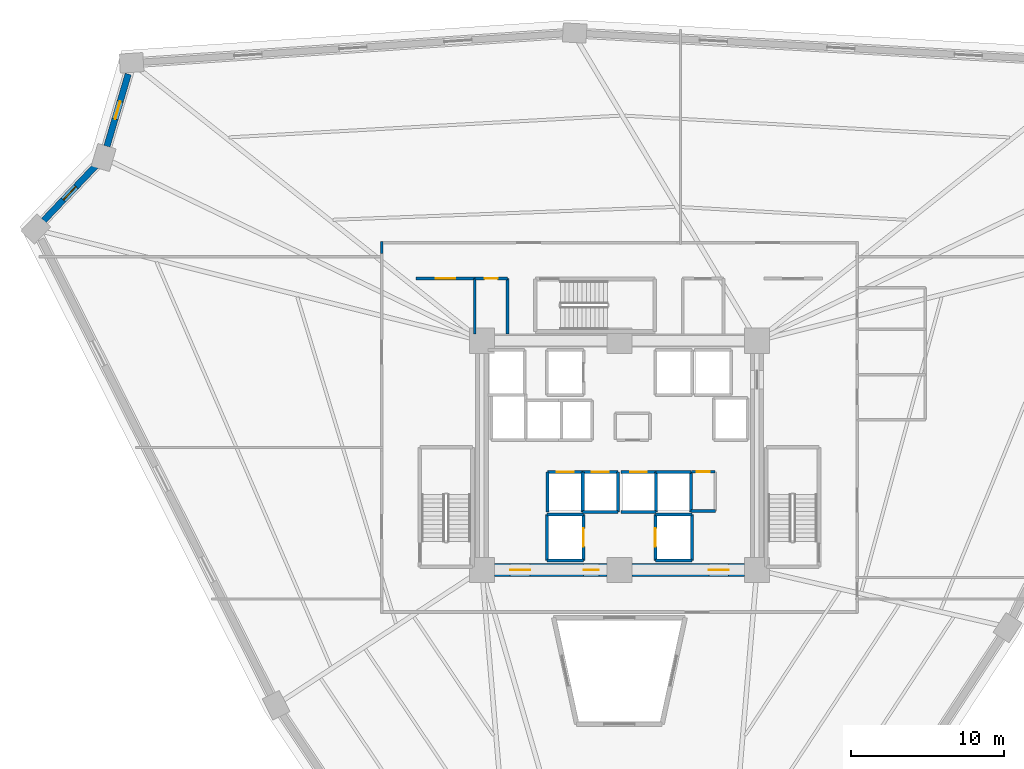
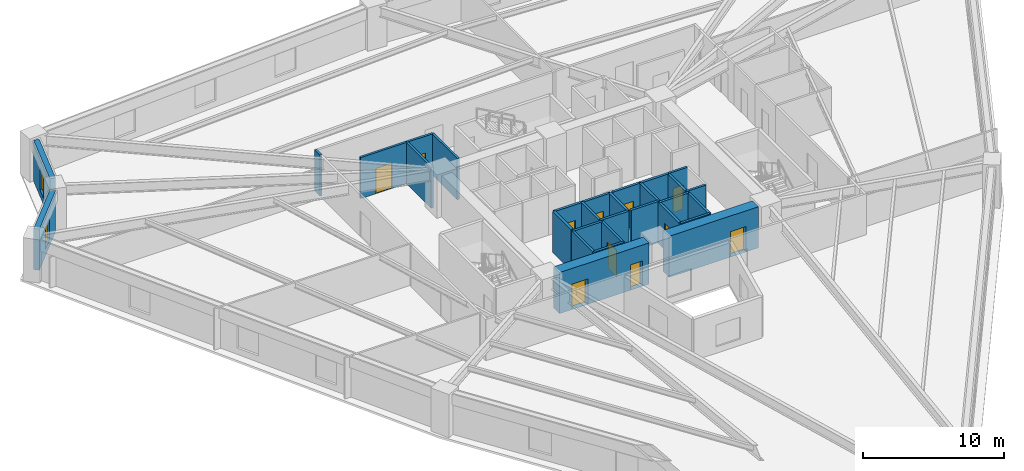
# One storey, part 4 of 8: 30 walls, 11 doors, 2 windows, 13 openings.
"""IFC4 building model written with IfcOpenShell, lengths in metres."""

from ifc_helpers import new_model, si_unit, direction, frame, frame_2d, origin, place, context, subcontext, project, spatial, rectangle, extrude, source, transform, mapped, material, layer, layer_set, type_object, element, fill, save


model = new_model("IFC4")

# Units and contexts
model_context = context("Model", 3, precision=1e-05, world=origin(), true_north=direction((0.0, 1.0)))
body_context = subcontext(model_context, "Body", "Model", "MODEL_VIEW")
ifc_project = project(units=[si_unit("LENGTHUNIT", "METRE"), si_unit("AREAUNIT", "SQUARE_METRE"), si_unit("VOLUMEUNIT", "CUBIC_METRE"), si_unit("PLANEANGLEUNIT", "RADIAN"), si_unit("MASSUNIT", "GRAM", prefix="KILO")], contexts=[model_context])

# Site, building, storey
site_placement = place(None, origin())
site = spatial("IfcSite", under=ifc_project, at=site_placement, CompositionType="ELEMENT")
building_placement = place(site_placement, origin())
building = spatial("IfcBuilding", under=site, at=building_placement, Name="Liaohun Quay Tower", CompositionType="ELEMENT")
storey_placement = place(building_placement, frame((0.0, 0.0, 70.5)))
storey = spatial("IfcBuildingStorey", under=building, at=storey_placement, Name="L18", CompositionType="ELEMENT", Elevation=70.5)

# Wall, opening, door
ifc_material_1 = material(Name="Concrete C60", Category="concrete")
ifc_layer_1 = layer(ifc_material_1, 0.85009765625, Name="Concrete C60", Category="concrete")
ifc_layer_set_1 = layer_set([ifc_layer_1], Name="Concrete C60")
wall_type_1 = type_object("IfcWallType", Name="WAL-COR-Z1", PredefinedType="SHEAR", material=ifc_layer_set_1)
wall_1_placement = place(storey_placement, frame((68.175048828125, 46.5, 0.0), z_axis=(0.0, 0.0, 1.0), x_axis=(-1.0, 0.0, 0.0)))
wall_1 = element("IfcWall", 1, at=wall_1_placement, inside=storey, type_object=wall_type_1, Name="L18 Central Core Shear Wall S-E", PredefinedType="SHEAR", context=body_context, shape_type="SweptSolid", body=[
    extrude(rectangle(XDim=7.35009765625, YDim=0.85009765625, at=frame_2d((3.675048828125, 0.0))), origin(), (0.0, 0.0, 1.0), 3.570068359375),
])
shared_shape_1 = source(origin(), body_context, "Body", "SweptSolid", [
    extrude(rectangle(XDim=1.300048828125, YDim=2.199951171875, at=frame_2d((0.64990234375, 1.10009765625))), frame((0.0, 0.43505859375, 0.0), z_axis=(0.0, -1.0, 0.0), x_axis=(1.0, 0.0, 0.0)), (0.0, 0.0, 1.0), 0.8701171875),
])
opening_1_placement = place(wall_1_placement, frame((1.02490234375, 0.0, 0.0)))
opening_1 = element("IfcOpeningElement", 2, at=opening_1_placement, cuts=wall_1, Name="Opening FD1", PredefinedType="OPENING", context=body_context, shape_type="MappedRepresentation", body=[
    mapped(shared_shape_1, transform((0.0, 0.0, 0.0), x_axis=(1.0, 0.0, 0.0), y_axis=(0.0, 1.0, 0.0), z_axis=(0.0, 0.0, 1.0), scale=1.0)),
])
ifc_material_2 = material(Name="Galvanised steel smokeproof fire door", Category="steel")
door_type_1 = type_object("IfcDoorType", Name="DOR-FFL-1300", OperationType="NOTDEFINED", PredefinedType="DOOR", material=ifc_material_2)
shared_shape_2 = source(origin(), body_context, "Body", "SweptSolid", [
    extrude(rectangle(XDim=1.300048828125, YDim=2.199951171875, at=frame_2d((0.64990234375, 1.10009765625))), frame((0.0, 0.02490234375, 0.0), z_axis=(0.0, -1.0, 0.0), x_axis=(1.0, 0.0, 0.0)), (0.0, 0.0, 1.0), 0.050048828125),
])
door_1_placement = place(opening_1_placement, origin())
door_1 = element("IfcDoor", 3, at=door_1_placement, inside=storey, type_object=door_type_1, Name="L18 East Core Lift Lobby Smokeproof Door", OperationType="SINGLE_SWING_LEFT", OverallHeight=2.199951171875, OverallWidth=1.300048828125, PredefinedType="DOOR", context=body_context, shape_type="MappedRepresentation", body=[
    mapped(shared_shape_2, transform((0.0, 0.0, 0.0), x_axis=(1.0, 0.0, 0.0), y_axis=(0.0, 1.0, 0.0), z_axis=(0.0, 0.0, 1.0), scale=1.0)),
])
fill(opening_1, door_1)

# Wall, openings, doors
wall_2_placement = place(storey_placement, frame((59.175048828125, 46.5, 0.0), z_axis=(0.0, 0.0, 1.0), x_axis=(-1.0, 0.0, 0.0)))
wall_2 = element("IfcWall", 4, at=wall_2_placement, inside=storey, type_object=wall_type_1, Name="L18 Central Core Shear Wall S-W", PredefinedType="SHEAR", context=body_context, shape_type="SweptSolid", body=[
    extrude(rectangle(XDim=7.35009765625, YDim=0.85009765625, at=frame_2d((3.675048828125, 0.0))), origin(), (0.0, 0.0, 1.0), 3.570068359375),
])
opening_2_placement = place(wall_2_placement, frame((5.02490234375, 0.0, 0.0)))
opening_2 = element("IfcOpeningElement", 5, at=opening_2_placement, cuts=wall_2, Name="Opening FD1", PredefinedType="OPENING", context=body_context, shape_type="MappedRepresentation", body=[
    mapped(shared_shape_1, transform((0.0, 0.0, 0.0), x_axis=(1.0, 0.0, 0.0), y_axis=(0.0, 1.0, 0.0), z_axis=(0.0, 0.0, 1.0), scale=1.0)),
])
shared_shape_3 = source(origin(), body_context, "Body", "SweptSolid", [
    extrude(rectangle(XDim=1.0, YDim=2.199951171875, at=frame_2d((0.5, 1.10009765625))), frame((0.0, 0.43505859375, 0.0), z_axis=(0.0, -1.0, 0.0), x_axis=(1.0, 0.0, 0.0)), (0.0, 0.0, 1.0), 0.8701171875),
])
opening_3_placement = place(wall_2_placement, frame((0.52490234375, 0.0, 0.0)))
opening_3 = element("IfcOpeningElement", 6, at=opening_3_placement, cuts=wall_2, Name="Opening FD2", PredefinedType="OPENING", context=body_context, shape_type="MappedRepresentation", body=[
    mapped(shared_shape_3, transform((0.0, 0.0, 0.0), x_axis=(1.0, 0.0, 0.0), y_axis=(0.0, 1.0, 0.0), z_axis=(0.0, 0.0, 1.0), scale=1.0)),
])
door_2_placement = place(opening_2_placement, origin())
door_2 = element("IfcDoor", 7, at=door_2_placement, inside=storey, type_object=door_type_1, Name="L18 West Core Lift Lobby Smokeproof Door", OperationType="SINGLE_SWING_RIGHT", OverallHeight=2.199951171875, OverallWidth=1.300048828125, PredefinedType="DOOR", context=body_context, shape_type="MappedRepresentation", body=[
    mapped(shared_shape_2, transform((0.0, 0.0, 0.0), x_axis=(1.0, 0.0, 0.0), y_axis=(0.0, 1.0, 0.0), z_axis=(0.0, 0.0, 1.0), scale=1.0)),
])
fill(opening_2, door_2)
ifc_material_3 = material(Name="Galvanised steel smokeproof lobby fire door", Category="steel")
door_type_2 = type_object("IfcDoorType", Name="DOR-FFL-1000", OperationType="NOTDEFINED", PredefinedType="DOOR", material=ifc_material_3)
shared_shape_4 = source(origin(), body_context, "Body", "SweptSolid", [
    extrude(rectangle(XDim=1.0, YDim=2.199951171875, at=frame_2d((0.5, 1.10009765625))), frame((0.0, 0.02490234375, 0.0), z_axis=(0.0, -1.0, 0.0), x_axis=(1.0, 0.0, 0.0)), (0.0, 0.0, 1.0), 0.050048828125),
])
door_3_placement = place(opening_3_placement, origin())
door_3 = element("IfcDoor", 8, at=door_3_placement, inside=storey, type_object=door_type_2, Name="L18 South Firefighting Lobby Smokeproof Door", OperationType="SINGLE_SWING_LEFT", OverallHeight=2.199951171875, OverallWidth=1.0, PredefinedType="DOOR", context=body_context, shape_type="MappedRepresentation", body=[
    mapped(shared_shape_4, transform((0.0, 0.0, 0.0), x_axis=(1.0, 0.0, 0.0), y_axis=(0.0, 1.0, 0.0), z_axis=(0.0, 0.0, 1.0), scale=1.0)),
])
fill(opening_3, door_3)

# Wall, opening, window
ifc_material_4 = material(Name="Precast concrete C50 insulated sandwich", Category="concrete")
ifc_layer_2 = layer(ifc_material_4, 0.419921875, Name="Precast concrete C50 insulated sandwich", Category="concrete")
ifc_layer_set_2 = layer_set([ifc_layer_2], Name="Precast concrete C50 insulated sandwich")
wall_type_2 = type_object("IfcWallType", Name="WAL-EXT-Z12", PredefinedType="SOLIDWALL", material=ifc_layer_set_2)
wall_3_placement = place(storey_placement, frame((27.85205078125, 78.950927734375, 0.0), z_axis=(0.0, 0.0, 1.0), x_axis=(-0.282877012636, -0.95915618943, 0.0)))
wall_3 = element("IfcWall", 9, at=wall_3_placement, inside=storey, type_object=wall_type_2, Name="L18 Brutalist Precast Pier Wall 08", PredefinedType="SOLIDWALL", context=body_context, shape_type="SweptSolid", body=[
    extrude(rectangle(XDim=4.927978515625, YDim=0.419921875, at=frame_2d((2.4638671875, 0.0))), origin(), (0.0, 0.0, 1.0), 3.570068359375),
])
shared_shape_5 = source(origin(), body_context, "Body", "SweptSolid", [
    extrude(rectangle(XDim=1.199951171875, YDim=1.89990234375, at=frame_2d((0.60009765625, 0.949951171875))), frame((0.0, 0.219970703125, 0.0), z_axis=(0.0, -1.0, 0.0), x_axis=(1.0, 0.0, 0.0)), (0.0, 0.0, 1.0), 0.43994140625),
])
opening_4_placement = place(wall_3_placement, frame((1.864013671875, 0.0, 0.550048828125)))
opening_4 = element("IfcOpeningElement", 10, at=opening_4_placement, cuts=wall_3, Name="Opening W05", PredefinedType="OPENING", context=body_context, shape_type="MappedRepresentation", body=[
    mapped(shared_shape_5, transform((0.0, 0.0, 0.0), x_axis=(1.0, 0.0, 0.0), y_axis=(0.0, 1.0, 0.0), z_axis=(0.0, 0.0, 1.0), scale=1.0)),
])
ifc_material_5 = material(Name="Triple Low-E corner notch glazing", Category="glass")
window_type = type_object("IfcWindowType", Name="WIN-NOTCH", PartitioningType="SINGLE_PANEL", PredefinedType="WINDOW", material=ifc_material_5)
shared_shape_6 = source(origin(), body_context, "Body", "SweptSolid", [
    extrude(rectangle(XDim=1.199951171875, YDim=1.89990234375, at=frame_2d((0.60009765625, 0.949951171875))), frame((0.0, 0.030029296875, 0.0), z_axis=(0.0, -1.0, 0.0), x_axis=(1.0, 0.0, 0.0)), (0.0, 0.0, 1.0), 0.06005859375),
])
window_1_placement = place(opening_4_placement, origin())
window_1 = element("IfcWindow", 11, at=window_1_placement, inside=storey, type_object=window_type, Name="L18 Corner Notch Window W05-08", OverallHeight=1.89990234375, OverallWidth=1.199951171875, PartitioningType="SINGLE_PANEL", PredefinedType="WINDOW", context=body_context, shape_type="MappedRepresentation", body=[
    mapped(shared_shape_6, transform((0.0, 0.0, 0.0), x_axis=(1.0, 0.0, 0.0), y_axis=(0.0, 1.0, 0.0), z_axis=(0.0, 0.0, 1.0), scale=1.0)),
])
fill(opening_4, window_1)

wall_4_placement = place(storey_placement, frame((25.715087890625, 72.93603515625, 0.0), z_axis=(0.0, 0.0, 1.0), x_axis=(-0.689226469502, -0.724545977656, 0.0)))
wall_4 = element("IfcWall", 12, at=wall_4_placement, inside=storey, type_object=wall_type_2, Name="L18 Brutalist Precast Pier Wall 09", PredefinedType="SOLIDWALL", context=body_context, shape_type="SweptSolid", body=[
    extrude(rectangle(XDim=4.921630859375, YDim=0.419921875, at=frame_2d((2.4609375, 0.0))), origin(), (0.0, 0.0, 1.0), 3.570068359375),
])
opening_5_placement = place(wall_4_placement, frame((1.861083984375, 0.0, 0.550048828125)))
opening_5 = element("IfcOpeningElement", 13, at=opening_5_placement, cuts=wall_4, Name="Opening W05", PredefinedType="OPENING", context=body_context, shape_type="MappedRepresentation", body=[
    mapped(shared_shape_5, transform((0.0, 0.0, 0.0), x_axis=(1.0, 0.0, 0.0), y_axis=(0.0, 1.0, 0.0), z_axis=(0.0, 0.0, 1.0), scale=1.0)),
])
window_2_placement = place(opening_5_placement, origin())
window_2 = element("IfcWindow", 14, at=window_2_placement, inside=storey, type_object=window_type, Name="L18 Corner Notch Window W05-09", OverallHeight=1.89990234375, OverallWidth=1.199951171875, PartitioningType="SINGLE_PANEL", PredefinedType="WINDOW", context=body_context, shape_type="MappedRepresentation", body=[
    mapped(shared_shape_6, transform((0.0, 0.0, 0.0), x_axis=(1.0, 0.0, 0.0), y_axis=(0.0, 1.0, 0.0), z_axis=(0.0, 0.0, 1.0), scale=1.0)),
])
fill(opening_5, window_2)

# Wall, opening, door
ifc_material_6 = material(Name="Autoclaved aerated concrete blockwork", Category="masonry")
ifc_layer_3 = layer(ifc_material_6, 0.179931640625, Name="Autoclaved aerated concrete blockwork", Category="masonry")
ifc_layer_set_3 = layer_set([ifc_layer_3], Name="Autoclaved aerated concrete blockwork")
wall_type_3 = type_object("IfcWallType", Name="WAL-PRT-COR", PredefinedType="PARTITIONING", material=ifc_layer_set_3)
wall_5_placement = place(storey_placement, frame((64.719970703125, 52.919921875, 0.0), z_axis=(0.0, 0.0, 1.0), x_axis=(1.0, 0.0, 0.0)))
wall_5 = element("IfcWall", 15, at=wall_5_placement, inside=storey, type_object=wall_type_3, Name="L18 Interior Partition Wall 002", PredefinedType="PARTITIONING", context=body_context, shape_type="SweptSolid", body=[
    extrude(rectangle(XDim=1.530029296875, YDim=0.179931640625, at=frame_2d((0.76513671875, 0.0))), origin(), (0.0, 0.0, 1.0), 3.570068359375),
])
shared_shape_7 = source(origin(), body_context, "Body", "SweptSolid", [
    extrude(rectangle(XDim=0.85009765625, YDim=2.10009765625, at=frame_2d((0.425048828125, 1.050048828125))), frame((0.0, 0.099853515625, 0.0), z_axis=(0.0, -1.0, 0.0), x_axis=(1.0, 0.0, 0.0)), (0.0, 0.0, 1.0), 0.199951171875),
])
opening_6_placement = place(wall_5_placement, frame((0.340087890625, 0.0, 0.0)))
opening_6 = element("IfcOpeningElement", 16, at=opening_6_placement, cuts=wall_5, Name="Opening AD1", PredefinedType="OPENING", context=body_context, shape_type="MappedRepresentation", body=[
    mapped(shared_shape_7, transform((0.0, 0.0, 0.0), x_axis=(1.0, 0.0, 0.0), y_axis=(0.0, 1.0, 0.0), z_axis=(0.0, 0.0, 1.0), scale=1.0)),
])
ifc_material_7 = material(Name="Steel riser inspection fire door", Category="steel")
door_type_3 = type_object("IfcDoorType", Name="DOR-SHF-850", OperationType="NOTDEFINED", PredefinedType="DOOR", material=ifc_material_7)
shared_shape_8 = source(origin(), body_context, "Body", "SweptSolid", [
    extrude(rectangle(XDim=0.85009765625, YDim=2.10009765625, at=frame_2d((0.425048828125, 1.050048828125))), frame((0.0, 0.02490234375, 0.0), z_axis=(0.0, -1.0, 0.0), x_axis=(1.0, 0.0, 0.0)), (0.0, 0.0, 1.0), 0.050048828125),
])
door_4_placement = place(opening_6_placement, origin())
door_4 = element("IfcDoor", 17, at=door_4_placement, inside=storey, type_object=door_type_3, Name="L18 BMS Data Riser Room Door", OperationType="SINGLE_SWING_RIGHT", OverallHeight=2.10009765625, OverallWidth=0.85009765625, PredefinedType="DOOR", context=body_context, shape_type="MappedRepresentation", body=[
    mapped(shared_shape_8, transform((0.0, 0.0, 0.0), x_axis=(1.0, 0.0, 0.0), y_axis=(0.0, 1.0, 0.0), z_axis=(0.0, 0.0, 1.0), scale=1.0)),
])
fill(opening_6, door_4)

wall_6_placement = place(storey_placement, frame((50.5400390625, 65.580078125, 0.0), z_axis=(0.0, 0.0, 1.0), x_axis=(1.0, 0.0, 0.0)))
wall_6 = element("IfcWall", 18, at=wall_6_placement, inside=storey, type_object=wall_type_3, Name="L18 Interior Partition Wall 006", PredefinedType="PARTITIONING", context=body_context, shape_type="SweptSolid", body=[
    extrude(rectangle(XDim=2.139892578125, YDim=0.179931640625, at=frame_2d((1.06982421875, 0.0))), origin(), (0.0, 0.0, 1.0), 3.570068359375),
])
opening_7_placement = place(wall_6_placement, frame((0.64501953125, 0.0, 0.0)))
opening_7 = element("IfcOpeningElement", 19, at=opening_7_placement, cuts=wall_6, Name="Opening AD1", PredefinedType="OPENING", context=body_context, shape_type="MappedRepresentation", body=[
    mapped(shared_shape_7, transform((0.0, 0.0, 0.0), x_axis=(1.0, 0.0, 0.0), y_axis=(0.0, 1.0, 0.0), z_axis=(0.0, 0.0, 1.0), scale=1.0)),
])
door_5_placement = place(opening_7_placement, origin())
door_5 = element("IfcDoor", 20, at=door_5_placement, inside=storey, type_object=door_type_3, Name="L18 North-West Supply Store Door", OperationType="SINGLE_SWING_RIGHT", OverallHeight=2.10009765625, OverallWidth=0.85009765625, PredefinedType="DOOR", context=body_context, shape_type="MappedRepresentation", body=[
    mapped(shared_shape_8, transform((0.0, 0.0, 0.0), x_axis=(1.0, 0.0, 0.0), y_axis=(0.0, 1.0, 0.0), z_axis=(0.0, 0.0, 1.0), scale=1.0)),
])
fill(opening_7, door_5)

wall_7_placement = place(storey_placement, frame((46.699951171875, 65.580078125, 0.0), z_axis=(0.0, 0.0, 1.0), x_axis=(1.0, 0.0, 0.0)))
wall_7 = element("IfcWall", 21, at=wall_7_placement, inside=storey, type_object=wall_type_3, Name="L18 Interior Partition Wall 008", PredefinedType="PARTITIONING", context=body_context, shape_type="SweptSolid", body=[
    extrude(rectangle(XDim=3.840087890625, YDim=0.179931640625, at=frame_2d((1.919921875, 0.0))), origin(), (0.0, 0.0, 1.0), 3.570068359375),
])
shared_shape_9 = source(origin(), body_context, "Body", "SweptSolid", [
    extrude(rectangle(XDim=1.300048828125, YDim=2.199951171875, at=frame_2d((0.64990234375, 1.10009765625))), frame((0.0, 0.099853515625, 0.0), z_axis=(0.0, -1.0, 0.0), x_axis=(1.0, 0.0, 0.0)), (0.0, 0.0, 1.0), 0.199951171875),
])
opening_8_placement = place(wall_7_placement, frame((1.27001953125, 0.0, 0.0)))
opening_8 = element("IfcOpeningElement", 22, at=opening_8_placement, cuts=wall_7, Name="Opening FD1", PredefinedType="OPENING", context=body_context, shape_type="MappedRepresentation", body=[
    mapped(shared_shape_9, transform((0.0, 0.0, 0.0), x_axis=(1.0, 0.0, 0.0), y_axis=(0.0, 1.0, 0.0), z_axis=(0.0, 0.0, 1.0), scale=1.0)),
])
door_6_placement = place(opening_8_placement, origin())
door_6 = element("IfcDoor", 23, at=door_6_placement, inside=storey, type_object=door_type_1, Name="L18 West Core Vestibule Door", OperationType="SINGLE_SWING_RIGHT", OverallHeight=2.199951171875, OverallWidth=1.300048828125, PredefinedType="DOOR", context=body_context, shape_type="MappedRepresentation", body=[
    mapped(shared_shape_2, transform((0.0, 0.0, 0.0), x_axis=(1.0, 0.0, 0.0), y_axis=(0.0, 1.0, 0.0), z_axis=(0.0, 0.0, 1.0), scale=1.0)),
])
fill(opening_8, door_6)

# Walls
wall_8_placement = place(storey_placement, frame((64.68994140625, 50.35009765625, 0.0), z_axis=(0.0, 0.0, 1.0), x_axis=(1.0, 0.0, 0.0)))
element("IfcWall", 24, at=wall_8_placement, inside=storey, type_object=wall_type_3, Name="L18 Interior Partition Wall 020", PredefinedType="PARTITIONING", context=body_context, shape_type="SweptSolid", body=[
    extrude(rectangle(XDim=1.590087890625, YDim=0.179931640625, at=frame_2d((0.794921875, 0.0))), origin(), (0.0, 0.0, 1.0), 3.570068359375),
])
for number, where, z_axis, x_axis, name in (
    (25, (50.5400390625, 61.949951171875, 0.0), (0.0, 0.0, 1.0), (0.0, 1.0, 0.0), "L18 Interior Partition Wall 027"),
    (26, (52.679931640625, 61.949951171875, 0.0), (0.0, 0.0, 1.0), (0.0, 1.0, 0.0), "L18 Interior Partition Wall 028"),
):
    element("IfcWall", number, at=place(storey_placement, frame(where, z_axis=z_axis, x_axis=x_axis)), inside=storey, type_object=wall_type_3, Name=name, PredefinedType="PARTITIONING", context=body_context, shape_type="SweptSolid", body=[
        extrude(rectangle(XDim=3.630126953125, YDim=0.179931640625, at=frame_2d((1.81494140625, 0.0))), origin(), (0.0, 0.0, 1.0), 3.570068359375),
    ])
wall_9_placement = place(storey_placement, frame((44.43994140625, 67.215087890625, 0.0), z_axis=(0.0, 0.0, 1.0), x_axis=(0.0, 1.0, 0.0)))
element("IfcWall", 27, at=wall_9_placement, inside=storey, type_object=wall_type_3, Name="L18 Interior Partition Wall 033", PredefinedType="PARTITIONING", context=body_context, shape_type="SweptSolid", body=[
    extrude(rectangle(XDim=0.764892578125, YDim=0.179931640625, at=frame_2d((0.38232421875, 0.0))), origin(), (0.0, 0.0, 1.0), 3.570068359375),
])
ifc_material_8 = material(Name="Concrete C50", Category="concrete")
ifc_layer_4 = layer(ifc_material_8, 0.239990234375, Name="Concrete C50", Category="concrete")
ifc_layer_set_4 = layer_set([ifc_layer_4], Name="Concrete C50")
wall_type_4 = type_object("IfcWallType", Name="WAL-SHF-200", PredefinedType="SOLIDWALL", material=ifc_layer_set_4)
wall_10_placement = place(storey_placement, frame((55.25, 47.1201171875, 0.0), z_axis=(0.0, 0.0, 1.0), x_axis=(1.0, 0.0, 0.0)))
element("IfcWall", 28, at=wall_10_placement, inside=storey, type_object=wall_type_4, Name="L18 Lift FF-01 Hoistway Wall S", PredefinedType="SOLIDWALL", context=body_context, shape_type="SweptSolid", body=[
    extrude(rectangle(XDim=2.39990234375, YDim=0.199951171875, at=frame_2d((1.199951171875, 0.0))), origin(), (0.0, 0.0, 1.0), 3.570068359375),
])

# Wall, opening, door
wall_11_placement = place(storey_placement, frame((57.64990234375, 47.1201171875, 0.0), z_axis=(0.0, 0.0, 1.0), x_axis=(0.0, 1.0, 0.0)))
wall_11 = element("IfcWall", 29, at=wall_11_placement, inside=storey, type_object=wall_type_4, Name="L18 Lift FF-01 Hoistway Wall E", PredefinedType="SOLIDWALL", context=body_context, shape_type="SweptSolid", body=[
    extrude(rectangle(XDim=3.0, YDim=0.199951171875, at=frame_2d((1.5, 0.0))), origin(), (0.0, 0.0, 1.0), 3.570068359375),
])
shared_shape_10 = source(origin(), body_context, "Body", "SweptSolid", [
    extrude(rectangle(XDim=1.199951171875, YDim=2.300048828125, at=frame_2d((0.60009765625, 1.14990234375))), frame((0.0, 0.10986328125, 0.0), z_axis=(0.0, -1.0, 0.0), x_axis=(1.0, 0.0, 0.0)), (0.0, 0.0, 1.0), 0.219970703125),
])
opening_9_placement = place(wall_11_placement, frame((0.89990234375, 0.0, 0.0)))
opening_9 = element("IfcOpeningElement", 30, at=opening_9_placement, cuts=wall_11, Name="Opening LD2", PredefinedType="OPENING", context=body_context, shape_type="MappedRepresentation", body=[
    mapped(shared_shape_10, transform((0.0, 0.0, 0.0), x_axis=(1.0, 0.0, 0.0), y_axis=(0.0, 1.0, 0.0), z_axis=(0.0, 0.0, 1.0), scale=1.0)),
])
ifc_material_9 = material(Name="Brushed stainless steel stretcher landing door", Category="steel")
door_type_4 = type_object("IfcDoorType", Name="DOR-LFT-1200", OperationType="SLIDING_TO_LEFT", PredefinedType="DOOR", material=ifc_material_9)
shared_shape_11 = source(origin(), body_context, "Body", "SweptSolid", [
    extrude(rectangle(XDim=1.199951171875, YDim=2.300048828125, at=frame_2d((0.60009765625, 1.14990234375))), frame((0.0, 0.02490234375, 0.0), z_axis=(0.0, -1.0, 0.0), x_axis=(1.0, 0.0, 0.0)), (0.0, 0.0, 1.0), 0.050048828125),
])
door_7_placement = place(opening_9_placement, origin())
door_7 = element("IfcDoor", 31, at=door_7_placement, inside=storey, type_object=door_type_4, Name="L18 Lift FF-01 Sliding Landing Door", OperationType="SLIDING_TO_LEFT", OverallHeight=2.300048828125, OverallWidth=1.199951171875, PredefinedType="DOOR", context=body_context, shape_type="MappedRepresentation", body=[
    mapped(shared_shape_11, transform((0.0, 0.0, 0.0), x_axis=(1.0, 0.0, 0.0), y_axis=(0.0, 1.0, 0.0), z_axis=(0.0, 0.0, 1.0), scale=1.0)),
])
fill(opening_9, door_7)

# Walls
wall_12_placement = place(storey_placement, frame((57.64990234375, 50.1201171875, 0.0), z_axis=(0.0, 0.0, 1.0), x_axis=(-1.0, 0.0, 0.0)))
element("IfcWall", 32, at=wall_12_placement, inside=storey, type_object=wall_type_4, Name="L18 Lift FF-01 Hoistway Wall N", PredefinedType="SOLIDWALL", context=body_context, shape_type="SweptSolid", body=[
    extrude(rectangle(XDim=2.39990234375, YDim=0.199951171875, at=frame_2d((1.199951171875, 0.0))), origin(), (0.0, 0.0, 1.0), 3.570068359375),
])
wall_13_placement = place(storey_placement, frame((55.25, 50.1201171875, 0.0), z_axis=(0.0, 0.0, 1.0), x_axis=(0.0, -1.0, 0.0)))
element("IfcWall", 33, at=wall_13_placement, inside=storey, type_object=wall_type_4, Name="L18 Lift FF-01 Hoistway Wall W", PredefinedType="SOLIDWALL", context=body_context, shape_type="SweptSolid", body=[
    extrude(rectangle(XDim=3.0, YDim=0.199951171875, at=frame_2d((1.5, 0.0))), origin(), (0.0, 0.0, 1.0), 3.570068359375),
])
wall_14_placement = place(storey_placement, frame((62.35009765625, 47.1201171875, 0.0), z_axis=(0.0, 0.0, 1.0), x_axis=(1.0, 0.0, 0.0)))
element("IfcWall", 34, at=wall_14_placement, inside=storey, type_object=wall_type_4, Name="L18 Lift FF-02 Hoistway Wall S", PredefinedType="SOLIDWALL", context=body_context, shape_type="SweptSolid", body=[
    extrude(rectangle(XDim=2.39990234375, YDim=0.199951171875, at=frame_2d((1.199951171875, 0.0))), origin(), (0.0, 0.0, 1.0), 3.570068359375),
])
wall_15_placement = place(storey_placement, frame((64.75, 47.1201171875, 0.0), z_axis=(0.0, 0.0, 1.0), x_axis=(0.0, 1.0, 0.0)))
element("IfcWall", 35, at=wall_15_placement, inside=storey, type_object=wall_type_4, Name="L18 Lift FF-02 Hoistway Wall E", PredefinedType="SOLIDWALL", context=body_context, shape_type="SweptSolid", body=[
    extrude(rectangle(XDim=3.0, YDim=0.199951171875, at=frame_2d((1.5, 0.0))), origin(), (0.0, 0.0, 1.0), 3.570068359375),
])
wall_16_placement = place(storey_placement, frame((64.75, 50.1201171875, 0.0), z_axis=(0.0, 0.0, 1.0), x_axis=(-1.0, 0.0, 0.0)))
element("IfcWall", 36, at=wall_16_placement, inside=storey, type_object=wall_type_4, Name="L18 Lift FF-02 Hoistway Wall N", PredefinedType="SOLIDWALL", context=body_context, shape_type="SweptSolid", body=[
    extrude(rectangle(XDim=2.39990234375, YDim=0.199951171875, at=frame_2d((1.199951171875, 0.0))), origin(), (0.0, 0.0, 1.0), 3.570068359375),
])

# Wall, opening, door
wall_17_placement = place(storey_placement, frame((62.35009765625, 50.1201171875, 0.0), z_axis=(0.0, 0.0, 1.0), x_axis=(0.0, -1.0, 0.0)))
wall_17 = element("IfcWall", 37, at=wall_17_placement, inside=storey, type_object=wall_type_4, Name="L18 Lift FF-02 Hoistway Wall W", PredefinedType="SOLIDWALL", context=body_context, shape_type="SweptSolid", body=[
    extrude(rectangle(XDim=3.0, YDim=0.199951171875, at=frame_2d((1.5, 0.0))), origin(), (0.0, 0.0, 1.0), 3.570068359375),
])
opening_10_placement = place(wall_17_placement, frame((0.89990234375, 0.0, 0.0)))
opening_10 = element("IfcOpeningElement", 38, at=opening_10_placement, cuts=wall_17, Name="Opening LD2", PredefinedType="OPENING", context=body_context, shape_type="MappedRepresentation", body=[
    mapped(shared_shape_10, transform((0.0, 0.0, 0.0), x_axis=(1.0, 0.0, 0.0), y_axis=(0.0, 1.0, 0.0), z_axis=(0.0, 0.0, 1.0), scale=1.0)),
])
door_8_placement = place(opening_10_placement, origin())
door_8 = element("IfcDoor", 39, at=door_8_placement, inside=storey, type_object=door_type_4, Name="L18 Lift FF-02 Sliding Landing Door", OperationType="SLIDING_TO_LEFT", OverallHeight=2.300048828125, OverallWidth=1.199951171875, PredefinedType="DOOR", context=body_context, shape_type="MappedRepresentation", body=[
    mapped(shared_shape_11, transform((0.0, 0.0, 0.0), x_axis=(1.0, 0.0, 0.0), y_axis=(0.0, 1.0, 0.0), z_axis=(0.0, 0.0, 1.0), scale=1.0)),
])
fill(opening_10, door_8)

# Wall
wall_18_placement = place(storey_placement, frame((57.60009765625, 50.300048828125, 0.0), z_axis=(0.0, 0.0, 1.0), x_axis=(0.0, 1.0, 0.0)))
element("IfcWall", 40, at=wall_18_placement, inside=storey, type_object=wall_type_4, Name="L18 Lift PL-1A Hoistway Wall E", PredefinedType="SOLIDWALL", context=body_context, shape_type="SweptSolid", body=[
    extrude(rectangle(XDim=2.599853515625, YDim=0.199951171875, at=frame_2d((1.2998046875, 0.0))), origin(), (0.0, 0.0, 1.0), 3.570068359375),
])

# Wall, opening, door
wall_19_placement = place(storey_placement, frame((57.60009765625, 52.89990234375, 0.0), z_axis=(0.0, 0.0, 1.0), x_axis=(-1.0, 0.0, 0.0)))
wall_19 = element("IfcWall", 41, at=wall_19_placement, inside=storey, type_object=wall_type_4, Name="L18 Lift PL-1A Hoistway Wall N", PredefinedType="SOLIDWALL", context=body_context, shape_type="SweptSolid", body=[
    extrude(rectangle(XDim=2.300048828125, YDim=0.199951171875, at=frame_2d((1.14990234375, 0.0))), origin(), (0.0, 0.0, 1.0), 3.570068359375),
])
shared_shape_12 = source(origin(), body_context, "Body", "SweptSolid", [
    extrude(rectangle(XDim=1.10009765625, YDim=2.199951171875, at=frame_2d((0.550048828125, 1.10009765625))), frame((0.0, 0.10986328125, 0.0), z_axis=(0.0, -1.0, 0.0), x_axis=(1.0, 0.0, 0.0)), (0.0, 0.0, 1.0), 0.219970703125),
])
opening_11_placement = place(wall_19_placement, frame((0.60009765625, 0.0, 0.0)))
opening_11 = element("IfcOpeningElement", 42, at=opening_11_placement, cuts=wall_19, Name="Opening LD1", PredefinedType="OPENING", context=body_context, shape_type="MappedRepresentation", body=[
    mapped(shared_shape_12, transform((0.0, 0.0, 0.0), x_axis=(1.0, 0.0, 0.0), y_axis=(0.0, 1.0, 0.0), z_axis=(0.0, 0.0, 1.0), scale=1.0)),
])
ifc_material_10 = material(Name="Brushed stainless steel landing door", Category="steel")
door_type_5 = type_object("IfcDoorType", Name="DOR-LFT-1100", OperationType="SLIDING_TO_LEFT", PredefinedType="DOOR", material=ifc_material_10)
shared_shape_13 = source(origin(), body_context, "Body", "SweptSolid", [
    extrude(rectangle(XDim=1.10009765625, YDim=2.199951171875, at=frame_2d((0.550048828125, 1.10009765625))), frame((0.0, 0.02490234375, 0.0), z_axis=(0.0, -1.0, 0.0), x_axis=(1.0, 0.0, 0.0)), (0.0, 0.0, 1.0), 0.050048828125),
])
door_9_placement = place(opening_11_placement, origin())
door_9 = element("IfcDoor", 43, at=door_9_placement, inside=storey, type_object=door_type_5, Name="L18 Lift PL-1A Sliding Landing Door", OperationType="SLIDING_TO_LEFT", OverallHeight=2.199951171875, OverallWidth=1.10009765625, PredefinedType="DOOR", context=body_context, shape_type="MappedRepresentation", body=[
    mapped(shared_shape_13, transform((0.0, 0.0, 0.0), x_axis=(1.0, 0.0, 0.0), y_axis=(0.0, 1.0, 0.0), z_axis=(0.0, 0.0, 1.0), scale=1.0)),
])
fill(opening_11, door_9)

# Walls
wall_20_placement = place(storey_placement, frame((55.300048828125, 52.89990234375, 0.0), z_axis=(0.0, 0.0, 1.0), x_axis=(0.0, -1.0, 0.0)))
element("IfcWall", 44, at=wall_20_placement, inside=storey, type_object=wall_type_4, Name="L18 Lift PL-1A Hoistway Wall W", PredefinedType="SOLIDWALL", context=body_context, shape_type="SweptSolid", body=[
    extrude(rectangle(XDim=2.599853515625, YDim=0.199951171875, at=frame_2d((1.2998046875, 0.0))), origin(), (0.0, 0.0, 1.0), 3.570068359375),
])
wall_21_placement = place(storey_placement, frame((57.60009765625, 50.300048828125, 0.0), z_axis=(0.0, 0.0, 1.0), x_axis=(1.0, 0.0, 0.0)))
element("IfcWall", 45, at=wall_21_placement, inside=storey, type_object=wall_type_4, Name="L18 Lift PL-1B Hoistway Wall S", PredefinedType="SOLIDWALL", context=body_context, shape_type="SweptSolid", body=[
    extrude(rectangle(XDim=2.2998046875, YDim=0.199951171875, at=frame_2d((1.14990234375, 0.0))), origin(), (0.0, 0.0, 1.0), 3.570068359375),
])
wall_22_placement = place(storey_placement, frame((59.89990234375, 50.300048828125, 0.0), z_axis=(0.0, 0.0, 1.0), x_axis=(0.0, 1.0, 0.0)))
element("IfcWall", 46, at=wall_22_placement, inside=storey, type_object=wall_type_4, Name="L18 Lift PL-1B Hoistway Wall E", PredefinedType="SOLIDWALL", context=body_context, shape_type="SweptSolid", body=[
    extrude(rectangle(XDim=2.599853515625, YDim=0.199951171875, at=frame_2d((1.2998046875, 0.0))), origin(), (0.0, 0.0, 1.0), 3.570068359375),
])

# Wall, opening, door
wall_23_placement = place(storey_placement, frame((59.89990234375, 52.89990234375, 0.0), z_axis=(0.0, 0.0, 1.0), x_axis=(-1.0, 0.0, 0.0)))
wall_23 = element("IfcWall", 47, at=wall_23_placement, inside=storey, type_object=wall_type_4, Name="L18 Lift PL-1B Hoistway Wall N", PredefinedType="SOLIDWALL", context=body_context, shape_type="SweptSolid", body=[
    extrude(rectangle(XDim=2.2998046875, YDim=0.199951171875, at=frame_2d((1.14990234375, 0.0))), origin(), (0.0, 0.0, 1.0), 3.570068359375),
])
opening_12_placement = place(wall_23_placement, frame((0.60009765625, 0.0, 0.0)))
opening_12 = element("IfcOpeningElement", 48, at=opening_12_placement, cuts=wall_23, Name="Opening LD1", PredefinedType="OPENING", context=body_context, shape_type="MappedRepresentation", body=[
    mapped(shared_shape_12, transform((0.0, 0.0, 0.0), x_axis=(1.0, 0.0, 0.0), y_axis=(0.0, 1.0, 0.0), z_axis=(0.0, 0.0, 1.0), scale=1.0)),
])
door_10_placement = place(opening_12_placement, origin())
door_10 = element("IfcDoor", 49, at=door_10_placement, inside=storey, type_object=door_type_5, Name="L18 Lift PL-1B Sliding Landing Door", OperationType="SLIDING_TO_LEFT", OverallHeight=2.199951171875, OverallWidth=1.10009765625, PredefinedType="DOOR", context=body_context, shape_type="MappedRepresentation", body=[
    mapped(shared_shape_13, transform((0.0, 0.0, 0.0), x_axis=(1.0, 0.0, 0.0), y_axis=(0.0, 1.0, 0.0), z_axis=(0.0, 0.0, 1.0), scale=1.0)),
])
fill(opening_12, door_10)

# Walls
wall_24_placement = place(storey_placement, frame((60.10009765625, 50.300048828125, 0.0), z_axis=(0.0, 0.0, 1.0), x_axis=(1.0, 0.0, 0.0)))
element("IfcWall", 50, at=wall_24_placement, inside=storey, type_object=wall_type_4, Name="L18 Lift PL-1C Hoistway Wall S", PredefinedType="SOLIDWALL", context=body_context, shape_type="SweptSolid", body=[
    extrude(rectangle(XDim=2.2998046875, YDim=0.199951171875, at=frame_2d((1.14990234375, 0.0))), origin(), (0.0, 0.0, 1.0), 3.570068359375),
])
wall_25_placement = place(storey_placement, frame((62.39990234375, 50.300048828125, 0.0), z_axis=(0.0, 0.0, 1.0), x_axis=(0.0, 1.0, 0.0)))
element("IfcWall", 51, at=wall_25_placement, inside=storey, type_object=wall_type_4, Name="L18 Lift PL-1C Hoistway Wall E", PredefinedType="SOLIDWALL", context=body_context, shape_type="SweptSolid", body=[
    extrude(rectangle(XDim=2.599853515625, YDim=0.199951171875, at=frame_2d((1.2998046875, 0.0))), origin(), (0.0, 0.0, 1.0), 3.570068359375),
])

# Wall, opening, door
wall_26_placement = place(storey_placement, frame((62.39990234375, 52.89990234375, 0.0), z_axis=(0.0, 0.0, 1.0), x_axis=(-1.0, 0.0, 0.0)))
wall_26 = element("IfcWall", 52, at=wall_26_placement, inside=storey, type_object=wall_type_4, Name="L18 Lift PL-1C Hoistway Wall N", PredefinedType="SOLIDWALL", context=body_context, shape_type="SweptSolid", body=[
    extrude(rectangle(XDim=2.2998046875, YDim=0.199951171875, at=frame_2d((1.14990234375, 0.0))), origin(), (0.0, 0.0, 1.0), 3.570068359375),
])
opening_13_placement = place(wall_26_placement, frame((0.60009765625, 0.0, 0.0)))
opening_13 = element("IfcOpeningElement", 53, at=opening_13_placement, cuts=wall_26, Name="Opening LD1", PredefinedType="OPENING", context=body_context, shape_type="MappedRepresentation", body=[
    mapped(shared_shape_12, transform((0.0, 0.0, 0.0), x_axis=(1.0, 0.0, 0.0), y_axis=(0.0, 1.0, 0.0), z_axis=(0.0, 0.0, 1.0), scale=1.0)),
])
door_11_placement = place(opening_13_placement, origin())
door_11 = element("IfcDoor", 54, at=door_11_placement, inside=storey, type_object=door_type_5, Name="L18 Lift PL-1C Sliding Landing Door", OperationType="SLIDING_TO_LEFT", OverallHeight=2.199951171875, OverallWidth=1.10009765625, PredefinedType="DOOR", context=body_context, shape_type="MappedRepresentation", body=[
    mapped(shared_shape_13, transform((0.0, 0.0, 0.0), x_axis=(1.0, 0.0, 0.0), y_axis=(0.0, 1.0, 0.0), z_axis=(0.0, 0.0, 1.0), scale=1.0)),
])
fill(opening_13, door_11)

# Walls
wall_27_placement = place(storey_placement, frame((64.699951171875, 50.300048828125, 0.0), z_axis=(0.0, 0.0, 1.0), x_axis=(0.0, 1.0, 0.0)))
element("IfcWall", 55, at=wall_27_placement, inside=storey, type_object=wall_type_4, Name="L18 Lift PL-2A Hoistway Wall E", PredefinedType="SOLIDWALL", context=body_context, shape_type="SweptSolid", body=[
    extrude(rectangle(XDim=2.599853515625, YDim=0.199951171875, at=frame_2d((1.2998046875, 0.0))), origin(), (0.0, 0.0, 1.0), 3.570068359375),
])
wall_28_placement = place(storey_placement, frame((64.699951171875, 52.89990234375, 0.0), z_axis=(0.0, 0.0, 1.0), x_axis=(-1.0, 0.0, 0.0)))
element("IfcWall", 56, at=wall_28_placement, inside=storey, type_object=wall_type_4, Name="L18 Lift PL-2A Hoistway Wall N", PredefinedType="SOLIDWALL", context=body_context, shape_type="SweptSolid", body=[
    extrude(rectangle(XDim=2.300048828125, YDim=0.199951171875, at=frame_2d((1.14990234375, 0.0))), origin(), (0.0, 0.0, 1.0), 3.570068359375),
])

save(model, "model.ifc")
